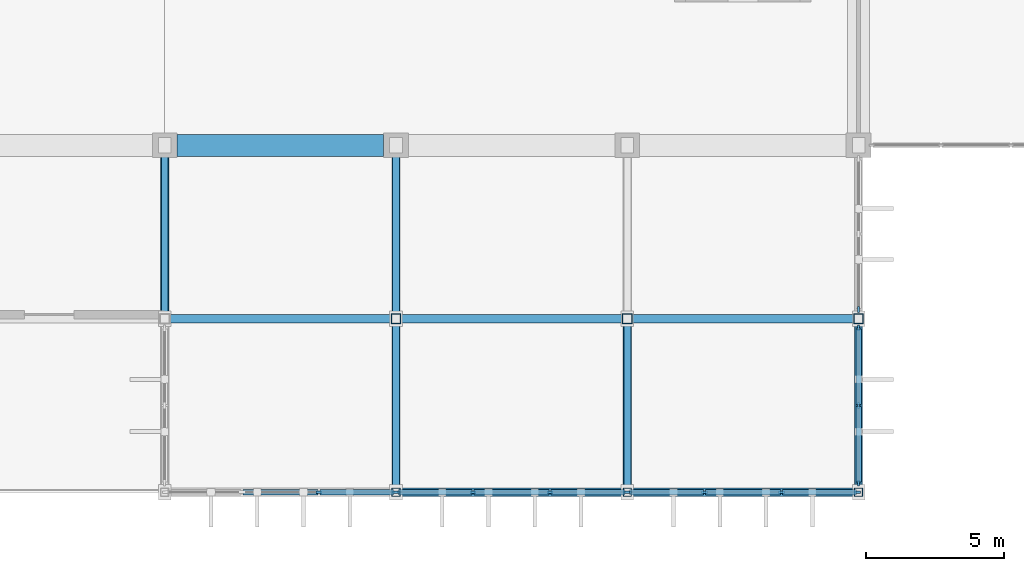
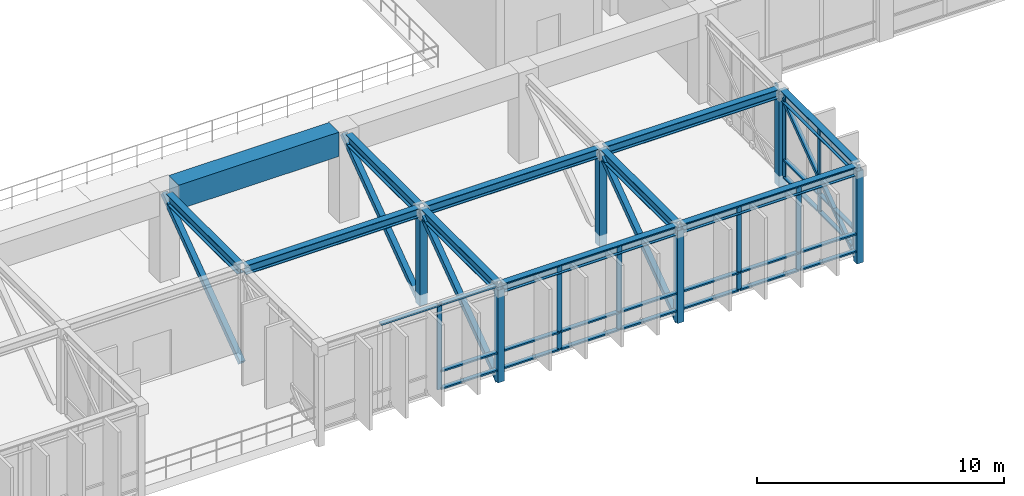
# One storey, part 8 of 40: 53 members, 11 beams, 5 elements without a shape of their own.
"""IFC4 building model written with IfcOpenShell, lengths in metres."""

from ifc_helpers import new_model, si_unit, direction, frame, origin, origin_2d, place, context, subcontext, project, spatial, rectangle, hollow_rectangle, i_section, extrude, material, material_profile, profile_set, type_object, element, aggregate, save


model = new_model("IFC4")

# Units and contexts
model_context = context("Model", 3, precision=1e-05, world=origin(), true_north=direction((0.0, 1.0)))
body_context = subcontext(model_context, "Body", "Model", "MODEL_VIEW")
ifc_project = project(units=[si_unit("LENGTHUNIT", "METRE"), si_unit("AREAUNIT", "SQUARE_METRE"), si_unit("VOLUMEUNIT", "CUBIC_METRE"), si_unit("PLANEANGLEUNIT", "RADIAN"), si_unit("MASSUNIT", "GRAM", prefix="KILO")], contexts=[model_context])

# Site, building, storey
site_placement = place(None, origin())
site = spatial("IfcSite", under=ifc_project, at=site_placement, CompositionType="ELEMENT")
building_placement = place(site_placement, origin())
building = spatial("IfcBuilding", under=site, at=building_placement, Name="Kenerak Square Central Library", CompositionType="ELEMENT")
storey_placement = place(building_placement, frame((0.0, 0.0, 14.39990234375)))
storey = spatial("IfcBuildingStorey", under=building, at=storey_placement, Name="L03", CompositionType="ELEMENT", Elevation=14.39990234375)

# Beams
ifc_material_1 = material(Name="Steel S355", Category="steel")
ifc_material_profile_1 = material_profile(ifc_material_1, i_section(OverallWidth=0.300048828125, OverallDepth=0.5, WebThickness=0.014404296875, FlangeThickness=0.028076171875, FilletRadius=0.027099609375, at=origin_2d()), Name="HEB 500")
ifc_profile_set_1 = profile_set([ifc_material_profile_1], Name="Steel S355")
beam_type_1 = type_object("IfcBeamType", Name="Backspan Steel Girder SB-03 HEB 500 S355", PredefinedType="BEAM", material=ifc_profile_set_1)
beam_1_placement = place(storey_placement, frame((92.0, 10.6201171875, 4.025146484375), z_axis=(0.0, 1.0, 0.0), x_axis=(-1.0, 0.0, 0.0)))
element("IfcBeam", 1, at=beam_1_placement, inside=storey, type_object=beam_type_1, Name="Wall-Truss Chord 5 L03 072", PredefinedType="BEAM", context=body_context, shape_type="SweptSolid", body=[
    extrude(i_section(OverallWidth=0.300048828125, OverallDepth=0.5, WebThickness=0.014404296875, FlangeThickness=0.028076171875, FilletRadius=0.027099609375, at=origin_2d()), origin(), (0.0, 0.0, 1.0), 5.77978515625),
])
beam_2_placement = place(storey_placement, frame((100.39990234375, 4.320068359375, 4.025146484375), z_axis=(0.0, 1.0, 0.0), x_axis=(-1.0, 0.0, 0.0)))
element("IfcBeam", 2, at=beam_2_placement, inside=storey, type_object=beam_type_1, Name="Wall-Truss Chord 6 L03 087", PredefinedType="BEAM", context=body_context, shape_type="SweptSolid", body=[
    extrude(i_section(OverallWidth=0.300048828125, OverallDepth=0.5, WebThickness=0.014404296875, FlangeThickness=0.028076171875, FilletRadius=0.027099609375, at=origin_2d()), origin(), (0.0, 0.0, 1.0), 6.059814453125),
])
beam_3_placement = place(storey_placement, frame((100.39990234375, 10.6201171875, 4.025146484375), z_axis=(0.0, 1.0, 0.0), x_axis=(-1.0, 0.0, 0.0)))
element("IfcBeam", 3, at=beam_3_placement, inside=storey, type_object=beam_type_1, Name="Wall-Truss Chord 6 L03 088", PredefinedType="BEAM", context=body_context, shape_type="SweptSolid", body=[
    extrude(i_section(OverallWidth=0.300048828125, OverallDepth=0.5, WebThickness=0.014404296875, FlangeThickness=0.028076171875, FilletRadius=0.027099609375, at=origin_2d()), origin(), (0.0, 0.0, 1.0), 5.77978515625),
])
for number, where, z_axis, x_axis, name in (
    (4, (108.800048828125, 4.320068359375, 4.025146484375), (0.0, 1.0, 0.0), (-1.0, 0.0, 0.0), "Wall-Truss Chord 7 L03 103"),
    (5, (117.199951171875, 4.320068359375, 4.025146484375), (0.0, 1.0, 0.0), (-1.0, 0.0, 0.0), "Wall-Truss Chord 8 L03 119"),
):
    element("IfcBeam", number, at=place(storey_placement, frame(where, z_axis=z_axis, x_axis=x_axis)), inside=storey, type_object=beam_type_1, Name=name, PredefinedType="BEAM", context=body_context, shape_type="SweptSolid", body=[
        extrude(i_section(OverallWidth=0.300048828125, OverallDepth=0.5, WebThickness=0.014404296875, FlangeThickness=0.028076171875, FilletRadius=0.027099609375, at=origin_2d()), origin(), (0.0, 0.0, 1.0), 6.059814453125),
    ])

# Curtain wall, member
ifc_material_2 = material(Name="Anodised aluminium and solar-control low-E glazing", Category="aluminium")
curtain_wall_type_1 = type_object("IfcCurtainWallType", Name="Curtain Wall CW-V1-55x42 5550x4230", PredefinedType="USERDEFINED", material=ifc_material_2)
curtain_wall_1_placement = place(storey_placement, origin())
curtain_wall_1 = element("IfcCurtainWall", 6, at=curtain_wall_1_placement, inside=storey, type_object=curtain_wall_type_1, Name="Curtain Wall CW-V1-55x42 L03 0127", ObjectType="CURTAIN WALL", PredefinedType="USERDEFINED")
ifc_material_3 = material(Name="Anodised aluminium 6063-T6", Category="aluminium")
ifc_material_profile_2 = material_profile(ifc_material_3, rectangle(XDim=0.074951171875, YDim=0.219970703125, at=origin_2d()), Name="AL MULLION 75x220")
ifc_profile_set_2 = profile_set([ifc_material_profile_2], Name="Anodised aluminium 6063-T6")
member_type_1 = type_object("IfcMemberType", Name="Curtain Mullion CM-02 75x220", PredefinedType="MULLION", material=ifc_profile_set_2)
member_1_placement = place(storey_placement, frame((117.199951171875, 10.83740234375, 0.0), z_axis=(0.0, 0.0, 1.0), x_axis=(1.0, 0.0, 0.0)))
member_1 = element("IfcMember", 7, at=member_1_placement, type_object=member_type_1, Name="CW-V1-55x42 Mullion 3", PredefinedType="MULLION", context=body_context, shape_type="SweptSolid", body=[
    extrude(rectangle(XDim=0.074951171875, YDim=0.219970703125, at=origin_2d()), origin(), (0.0, 0.0, 1.0), 4.22998046875),
])
aggregate(curtain_wall_1, [member_1])

# Curtain wall, members
curtain_wall_type_2 = type_object("IfcCurtainWallType", Name="Curtain Wall CW-V1-57x42 5700x4230", PredefinedType="USERDEFINED", material=ifc_material_2)
curtain_wall_2_placement = place(storey_placement, origin())
curtain_wall_2 = element("IfcCurtainWall", 8, at=curtain_wall_2_placement, inside=storey, type_object=curtain_wall_type_2, Name="Curtain Wall CW-V1-57x42 L03 0128", ObjectType="CURTAIN WALL", PredefinedType="USERDEFINED")
member_2_placement = place(storey_placement, frame((117.199951171875, 10.16259765625, 0.0), z_axis=(0.0, 0.0, 1.0), x_axis=(1.0, 0.0, 0.0)))
member_2 = element("IfcMember", 9, at=member_2_placement, type_object=member_type_1, Name="CW-V1-57x42 Mullion 1", PredefinedType="MULLION", context=body_context, shape_type="SweptSolid", body=[
    extrude(rectangle(XDim=0.074951171875, YDim=0.219970703125, at=origin_2d()), origin(), (0.0, 0.0, 1.0), 4.22998046875),
])
member_3_placement = place(storey_placement, frame((117.199951171875, 7.35009765625, 0.0), z_axis=(0.0, 0.0, 1.0), x_axis=(1.0, 0.0, 0.0)))
member_3 = element("IfcMember", 10, at=member_3_placement, type_object=member_type_1, Name="CW-V1-57x42 Mullion 2", PredefinedType="MULLION", context=body_context, shape_type="SweptSolid", body=[
    extrude(rectangle(XDim=0.074951171875, YDim=0.219970703125, at=origin_2d()), origin(), (0.0, 0.0, 1.0), 4.22998046875),
])
member_4_placement = place(storey_placement, frame((117.199951171875, 4.53759765625, 0.0), z_axis=(0.0, 0.0, 1.0), x_axis=(1.0, 0.0, 0.0)))
member_4 = element("IfcMember", 11, at=member_4_placement, type_object=member_type_1, Name="CW-V1-57x42 Mullion 3", PredefinedType="MULLION", context=body_context, shape_type="SweptSolid", body=[
    extrude(rectangle(XDim=0.074951171875, YDim=0.219970703125, at=origin_2d()), origin(), (0.0, 0.0, 1.0), 4.22998046875),
])

curtain_wall_type_3 = type_object("IfcCurtainWallType", Name="Curtain Wall CW-V1-84x42 8400x4230", PredefinedType="USERDEFINED", material=ifc_material_2)
curtain_wall_3_placement = place(storey_placement, origin())
curtain_wall_3 = element("IfcCurtainWall", 12, at=curtain_wall_3_placement, inside=storey, type_object=curtain_wall_type_3, Name="Curtain Wall CW-V1-84x42 L03 0129", ObjectType="CURTAIN WALL", PredefinedType="USERDEFINED")
member_5_placement = place(storey_placement, frame((117.16259765625, 4.199951171875, 0.0), z_axis=(0.0, 0.0, 1.0), x_axis=(0.0, -1.0, 0.0)))
member_5 = element("IfcMember", 13, at=member_5_placement, type_object=member_type_1, Name="CW-V1-84x42 Mullion 1", PredefinedType="MULLION", context=body_context, shape_type="SweptSolid", body=[
    extrude(rectangle(XDim=0.074951171875, YDim=0.219970703125, at=origin_2d()), origin(), (0.0, 0.0, 1.0), 4.22998046875),
])
member_6_placement = place(storey_placement, frame((114.39990234375, 4.199951171875, 0.0), z_axis=(0.0, 0.0, 1.0), x_axis=(0.0, -1.0, 0.0)))
member_6 = element("IfcMember", 14, at=member_6_placement, type_object=member_type_1, Name="CW-V1-84x42 Mullion 2", PredefinedType="MULLION", context=body_context, shape_type="SweptSolid", body=[
    extrude(rectangle(XDim=0.074951171875, YDim=0.219970703125, at=origin_2d()), origin(), (0.0, 0.0, 1.0), 4.22998046875),
])
member_7_placement = place(storey_placement, frame((111.60009765625, 4.199951171875, 0.0), z_axis=(0.0, 0.0, 1.0), x_axis=(0.0, -1.0, 0.0)))
member_7 = element("IfcMember", 15, at=member_7_placement, type_object=member_type_1, Name="CW-V1-84x42 Mullion 3", PredefinedType="MULLION", context=body_context, shape_type="SweptSolid", body=[
    extrude(rectangle(XDim=0.074951171875, YDim=0.219970703125, at=origin_2d()), origin(), (0.0, 0.0, 1.0), 4.22998046875),
])
member_8_placement = place(storey_placement, frame((108.83740234375, 4.199951171875, 0.0), z_axis=(0.0, 0.0, 1.0), x_axis=(0.0, -1.0, 0.0)))
member_8 = element("IfcMember", 16, at=member_8_placement, type_object=member_type_1, Name="CW-V1-84x42 Mullion 4", PredefinedType="MULLION", context=body_context, shape_type="SweptSolid", body=[
    extrude(rectangle(XDim=0.074951171875, YDim=0.219970703125, at=origin_2d()), origin(), (0.0, 0.0, 1.0), 4.22998046875),
])

curtain_wall_4_placement = place(storey_placement, origin())
curtain_wall_4 = element("IfcCurtainWall", 17, at=curtain_wall_4_placement, inside=storey, type_object=curtain_wall_type_3, Name="Curtain Wall CW-V1-84x42 L03 0130", ObjectType="CURTAIN WALL", PredefinedType="USERDEFINED")
member_9_placement = place(storey_placement, frame((108.762451171875, 4.199951171875, 0.0), z_axis=(0.0, 0.0, 1.0), x_axis=(0.0, -1.0, 0.0)))
member_9 = element("IfcMember", 18, at=member_9_placement, type_object=member_type_1, Name="CW-V1-84x42 Mullion 1", PredefinedType="MULLION", context=body_context, shape_type="SweptSolid", body=[
    extrude(rectangle(XDim=0.074951171875, YDim=0.219970703125, at=origin_2d()), origin(), (0.0, 0.0, 1.0), 4.22998046875),
])
member_10_placement = place(storey_placement, frame((106.0, 4.199951171875, 0.0), z_axis=(0.0, 0.0, 1.0), x_axis=(0.0, -1.0, 0.0)))
member_10 = element("IfcMember", 19, at=member_10_placement, type_object=member_type_1, Name="CW-V1-84x42 Mullion 2", PredefinedType="MULLION", context=body_context, shape_type="SweptSolid", body=[
    extrude(rectangle(XDim=0.074951171875, YDim=0.219970703125, at=origin_2d()), origin(), (0.0, 0.0, 1.0), 4.22998046875),
])
member_11_placement = place(storey_placement, frame((103.199951171875, 4.199951171875, 0.0), z_axis=(0.0, 0.0, 1.0), x_axis=(0.0, -1.0, 0.0)))
member_11 = element("IfcMember", 20, at=member_11_placement, type_object=member_type_1, Name="CW-V1-84x42 Mullion 3", PredefinedType="MULLION", context=body_context, shape_type="SweptSolid", body=[
    extrude(rectangle(XDim=0.074951171875, YDim=0.219970703125, at=origin_2d()), origin(), (0.0, 0.0, 1.0), 4.22998046875),
])
member_12_placement = place(storey_placement, frame((100.4375, 4.199951171875, 0.0), z_axis=(0.0, 0.0, 1.0), x_axis=(0.0, -1.0, 0.0)))
member_12 = element("IfcMember", 21, at=member_12_placement, type_object=member_type_1, Name="CW-V1-84x42 Mullion 4", PredefinedType="MULLION", context=body_context, shape_type="SweptSolid", body=[
    extrude(rectangle(XDim=0.074951171875, YDim=0.219970703125, at=origin_2d()), origin(), (0.0, 0.0, 1.0), 4.22998046875),
])

curtain_wall_5_placement = place(storey_placement, origin())
curtain_wall_5 = element("IfcCurtainWall", 22, at=curtain_wall_5_placement, inside=storey, type_object=curtain_wall_type_3, Name="Curtain Wall CW-V1-84x42 L03 0131", ObjectType="CURTAIN WALL", PredefinedType="USERDEFINED")
member_13_placement = place(storey_placement, frame((100.362548828125, 4.199951171875, 0.0), z_axis=(0.0, 0.0, 1.0), x_axis=(0.0, -1.0, 0.0)))
member_13 = element("IfcMember", 23, at=member_13_placement, type_object=member_type_1, Name="CW-V1-84x42 Mullion 1", PredefinedType="MULLION", context=body_context, shape_type="SweptSolid", body=[
    extrude(rectangle(XDim=0.074951171875, YDim=0.219970703125, at=origin_2d()), origin(), (0.0, 0.0, 1.0), 4.22998046875),
])
member_14_placement = place(storey_placement, frame((97.60009765625, 4.199951171875, 0.0), z_axis=(0.0, 0.0, 1.0), x_axis=(0.0, -1.0, 0.0)))
member_14 = element("IfcMember", 24, at=member_14_placement, type_object=member_type_1, Name="CW-V1-84x42 Mullion 2", PredefinedType="MULLION", context=body_context, shape_type="SweptSolid", body=[
    extrude(rectangle(XDim=0.074951171875, YDim=0.219970703125, at=origin_2d()), origin(), (0.0, 0.0, 1.0), 4.22998046875),
])

# Member
ifc_material_profile_3 = material_profile(ifc_material_3, rectangle(XDim=0.199951171875, YDim=0.074951171875, at=origin_2d()), Name="AL TRANSOM 200x75")
ifc_profile_set_3 = profile_set([ifc_material_profile_3], Name="Anodised aluminium 6063-T6")
member_type_2 = type_object("IfcMemberType", Name="Curtain Transom CT-12 200x75", PredefinedType="USERDEFINED", material=ifc_profile_set_3)
member_15_placement = place(storey_placement, frame((117.199951171875, 10.125, 0.03759765625), z_axis=(0.0, -1.0, 0.0), x_axis=(1.0, 0.0, 0.0)))
member_15 = element("IfcMember", 25, at=member_15_placement, type_object=member_type_2, Name="CW-V1-57x42 Transom 1.1", ObjectType="TRANSOM", PredefinedType="USERDEFINED", context=body_context, shape_type="SweptSolid", body=[
    extrude(rectangle(XDim=0.199951171875, YDim=0.074951171875, at=origin_2d()), origin(), (0.0, 0.0, 1.0), 2.737548828125),
])

member_16_placement = place(storey_placement, frame((117.199951171875, 10.125, 0.900146484375), z_axis=(0.0, -1.0, 0.0), x_axis=(1.0, 0.0, 0.0)))
member_16 = element("IfcMember", 26, at=member_16_placement, type_object=member_type_2, Name="CW-V1-57x42 Transom 1.2", ObjectType="TRANSOM", PredefinedType="USERDEFINED", context=body_context, shape_type="SweptSolid", body=[
    extrude(rectangle(XDim=0.199951171875, YDim=0.074951171875, at=origin_2d()), origin(), (0.0, 0.0, 1.0), 2.737548828125),
])

member_17_placement = place(storey_placement, frame((117.199951171875, 10.125, 4.192626953125), z_axis=(0.0, -1.0, 0.0), x_axis=(1.0, 0.0, 0.0)))
member_17 = element("IfcMember", 27, at=member_17_placement, type_object=member_type_2, Name="CW-V1-57x42 Transom 1.3", ObjectType="TRANSOM", PredefinedType="USERDEFINED", context=body_context, shape_type="SweptSolid", body=[
    extrude(rectangle(XDim=0.199951171875, YDim=0.074951171875, at=origin_2d()), origin(), (0.0, 0.0, 1.0), 2.737548828125),
])

member_18_placement = place(storey_placement, frame((117.199951171875, 7.3125, 0.03759765625), z_axis=(0.0, -1.0, 0.0), x_axis=(1.0, 0.0, 0.0)))
member_18 = element("IfcMember", 28, at=member_18_placement, type_object=member_type_2, Name="CW-V1-57x42 Transom 2.1", ObjectType="TRANSOM", PredefinedType="USERDEFINED", context=body_context, shape_type="SweptSolid", body=[
    extrude(rectangle(XDim=0.199951171875, YDim=0.074951171875, at=origin_2d()), origin(), (0.0, 0.0, 1.0), 2.737548828125),
])

member_19_placement = place(storey_placement, frame((117.199951171875, 7.3125, 0.900146484375), z_axis=(0.0, -1.0, 0.0), x_axis=(1.0, 0.0, 0.0)))
member_19 = element("IfcMember", 29, at=member_19_placement, type_object=member_type_2, Name="CW-V1-57x42 Transom 2.2", ObjectType="TRANSOM", PredefinedType="USERDEFINED", context=body_context, shape_type="SweptSolid", body=[
    extrude(rectangle(XDim=0.199951171875, YDim=0.074951171875, at=origin_2d()), origin(), (0.0, 0.0, 1.0), 2.737548828125),
])

member_20_placement = place(storey_placement, frame((117.199951171875, 7.3125, 4.192626953125), z_axis=(0.0, -1.0, 0.0), x_axis=(1.0, 0.0, 0.0)))
member_20 = element("IfcMember", 30, at=member_20_placement, type_object=member_type_2, Name="CW-V1-57x42 Transom 2.3", ObjectType="TRANSOM", PredefinedType="USERDEFINED", context=body_context, shape_type="SweptSolid", body=[
    extrude(rectangle(XDim=0.199951171875, YDim=0.074951171875, at=origin_2d()), origin(), (0.0, 0.0, 1.0), 2.737548828125),
])

aggregate(curtain_wall_2, [member_2, member_3, member_4, member_15, member_16, member_17, member_18, member_19, member_20])

member_21_placement = place(storey_placement, frame((117.125, 4.199951171875, 0.03759765625), z_axis=(-1.0, 0.0, 0.0), x_axis=(0.0, -1.0, 0.0)))
member_21 = element("IfcMember", 31, at=member_21_placement, type_object=member_type_2, Name="CW-V1-84x42 Transom 1.1", ObjectType="TRANSOM", PredefinedType="USERDEFINED", context=body_context, shape_type="SweptSolid", body=[
    extrude(rectangle(XDim=0.199951171875, YDim=0.074951171875, at=origin_2d()), origin(), (0.0, 0.0, 1.0), 2.6875),
])

member_22_placement = place(storey_placement, frame((117.125, 4.199951171875, 0.900146484375), z_axis=(-1.0, 0.0, 0.0), x_axis=(0.0, -1.0, 0.0)))
member_22 = element("IfcMember", 32, at=member_22_placement, type_object=member_type_2, Name="CW-V1-84x42 Transom 1.2", ObjectType="TRANSOM", PredefinedType="USERDEFINED", context=body_context, shape_type="SweptSolid", body=[
    extrude(rectangle(XDim=0.199951171875, YDim=0.074951171875, at=origin_2d()), origin(), (0.0, 0.0, 1.0), 2.6875),
])

member_23_placement = place(storey_placement, frame((117.125, 4.199951171875, 4.192626953125), z_axis=(-1.0, 0.0, 0.0), x_axis=(0.0, -1.0, 0.0)))
member_23 = element("IfcMember", 33, at=member_23_placement, type_object=member_type_2, Name="CW-V1-84x42 Transom 1.3", ObjectType="TRANSOM", PredefinedType="USERDEFINED", context=body_context, shape_type="SweptSolid", body=[
    extrude(rectangle(XDim=0.199951171875, YDim=0.074951171875, at=origin_2d()), origin(), (0.0, 0.0, 1.0), 2.6875),
])

member_24_placement = place(storey_placement, frame((114.362548828125, 4.199951171875, 0.03759765625), z_axis=(-1.0, 0.0, 0.0), x_axis=(0.0, -1.0, 0.0)))
member_24 = element("IfcMember", 34, at=member_24_placement, type_object=member_type_2, Name="CW-V1-84x42 Transom 2.1", ObjectType="TRANSOM", PredefinedType="USERDEFINED", context=body_context, shape_type="SweptSolid", body=[
    extrude(rectangle(XDim=0.199951171875, YDim=0.074951171875, at=origin_2d()), origin(), (0.0, 0.0, 1.0), 2.72509765625),
])

member_25_placement = place(storey_placement, frame((114.362548828125, 4.199951171875, 0.900146484375), z_axis=(-1.0, 0.0, 0.0), x_axis=(0.0, -1.0, 0.0)))
member_25 = element("IfcMember", 35, at=member_25_placement, type_object=member_type_2, Name="CW-V1-84x42 Transom 2.2", ObjectType="TRANSOM", PredefinedType="USERDEFINED", context=body_context, shape_type="SweptSolid", body=[
    extrude(rectangle(XDim=0.199951171875, YDim=0.074951171875, at=origin_2d()), origin(), (0.0, 0.0, 1.0), 2.72509765625),
])

member_26_placement = place(storey_placement, frame((114.362548828125, 4.199951171875, 4.192626953125), z_axis=(-1.0, 0.0, 0.0), x_axis=(0.0, -1.0, 0.0)))
member_26 = element("IfcMember", 36, at=member_26_placement, type_object=member_type_2, Name="CW-V1-84x42 Transom 2.3", ObjectType="TRANSOM", PredefinedType="USERDEFINED", context=body_context, shape_type="SweptSolid", body=[
    extrude(rectangle(XDim=0.199951171875, YDim=0.074951171875, at=origin_2d()), origin(), (0.0, 0.0, 1.0), 2.72509765625),
])

member_27_placement = place(storey_placement, frame((111.5625, 4.199951171875, 0.03759765625), z_axis=(-1.0, 0.0, 0.0), x_axis=(0.0, -1.0, 0.0)))
member_27 = element("IfcMember", 37, at=member_27_placement, type_object=member_type_2, Name="CW-V1-84x42 Transom 3.1", ObjectType="TRANSOM", PredefinedType="USERDEFINED", context=body_context, shape_type="SweptSolid", body=[
    extrude(rectangle(XDim=0.199951171875, YDim=0.074951171875, at=origin_2d()), origin(), (0.0, 0.0, 1.0), 2.6875),
])

member_28_placement = place(storey_placement, frame((111.5625, 4.199951171875, 0.900146484375), z_axis=(-1.0, 0.0, 0.0), x_axis=(0.0, -1.0, 0.0)))
member_28 = element("IfcMember", 38, at=member_28_placement, type_object=member_type_2, Name="CW-V1-84x42 Transom 3.2", ObjectType="TRANSOM", PredefinedType="USERDEFINED", context=body_context, shape_type="SweptSolid", body=[
    extrude(rectangle(XDim=0.199951171875, YDim=0.074951171875, at=origin_2d()), origin(), (0.0, 0.0, 1.0), 2.6875),
])

member_29_placement = place(storey_placement, frame((111.5625, 4.199951171875, 4.192626953125), z_axis=(-1.0, 0.0, 0.0), x_axis=(0.0, -1.0, 0.0)))
member_29 = element("IfcMember", 39, at=member_29_placement, type_object=member_type_2, Name="CW-V1-84x42 Transom 3.3", ObjectType="TRANSOM", PredefinedType="USERDEFINED", context=body_context, shape_type="SweptSolid", body=[
    extrude(rectangle(XDim=0.199951171875, YDim=0.074951171875, at=origin_2d()), origin(), (0.0, 0.0, 1.0), 2.6875),
])

aggregate(curtain_wall_3, [member_5, member_6, member_7, member_8, member_21, member_22, member_23, member_24, member_25, member_26, member_27, member_28, member_29])

member_30_placement = place(storey_placement, frame((108.72509765625, 4.199951171875, 0.03759765625), z_axis=(-1.0, 0.0, 0.0), x_axis=(0.0, -1.0, 0.0)))
member_30 = element("IfcMember", 40, at=member_30_placement, type_object=member_type_2, Name="CW-V1-84x42 Transom 1.1", ObjectType="TRANSOM", PredefinedType="USERDEFINED", context=body_context, shape_type="SweptSolid", body=[
    extrude(rectangle(XDim=0.199951171875, YDim=0.074951171875, at=origin_2d()), origin(), (0.0, 0.0, 1.0), 2.6875),
])

member_31_placement = place(storey_placement, frame((108.72509765625, 4.199951171875, 0.900146484375), z_axis=(-1.0, 0.0, 0.0), x_axis=(0.0, -1.0, 0.0)))
member_31 = element("IfcMember", 41, at=member_31_placement, type_object=member_type_2, Name="CW-V1-84x42 Transom 1.2", ObjectType="TRANSOM", PredefinedType="USERDEFINED", context=body_context, shape_type="SweptSolid", body=[
    extrude(rectangle(XDim=0.199951171875, YDim=0.074951171875, at=origin_2d()), origin(), (0.0, 0.0, 1.0), 2.6875),
])

member_32_placement = place(storey_placement, frame((108.72509765625, 4.199951171875, 4.192626953125), z_axis=(-1.0, 0.0, 0.0), x_axis=(0.0, -1.0, 0.0)))
member_32 = element("IfcMember", 42, at=member_32_placement, type_object=member_type_2, Name="CW-V1-84x42 Transom 1.3", ObjectType="TRANSOM", PredefinedType="USERDEFINED", context=body_context, shape_type="SweptSolid", body=[
    extrude(rectangle(XDim=0.199951171875, YDim=0.074951171875, at=origin_2d()), origin(), (0.0, 0.0, 1.0), 2.6875),
])

member_33_placement = place(storey_placement, frame((105.96240234375, 4.199951171875, 0.03759765625), z_axis=(-1.0, 0.0, 0.0), x_axis=(0.0, -1.0, 0.0)))
member_33 = element("IfcMember", 43, at=member_33_placement, type_object=member_type_2, Name="CW-V1-84x42 Transom 2.1", ObjectType="TRANSOM", PredefinedType="USERDEFINED", context=body_context, shape_type="SweptSolid", body=[
    extrude(rectangle(XDim=0.199951171875, YDim=0.074951171875, at=origin_2d()), origin(), (0.0, 0.0, 1.0), 2.724853515625),
])

member_34_placement = place(storey_placement, frame((105.96240234375, 4.199951171875, 0.900146484375), z_axis=(-1.0, 0.0, 0.0), x_axis=(0.0, -1.0, 0.0)))
member_34 = element("IfcMember", 44, at=member_34_placement, type_object=member_type_2, Name="CW-V1-84x42 Transom 2.2", ObjectType="TRANSOM", PredefinedType="USERDEFINED", context=body_context, shape_type="SweptSolid", body=[
    extrude(rectangle(XDim=0.199951171875, YDim=0.074951171875, at=origin_2d()), origin(), (0.0, 0.0, 1.0), 2.724853515625),
])

member_35_placement = place(storey_placement, frame((105.96240234375, 4.199951171875, 4.192626953125), z_axis=(-1.0, 0.0, 0.0), x_axis=(0.0, -1.0, 0.0)))
member_35 = element("IfcMember", 45, at=member_35_placement, type_object=member_type_2, Name="CW-V1-84x42 Transom 2.3", ObjectType="TRANSOM", PredefinedType="USERDEFINED", context=body_context, shape_type="SweptSolid", body=[
    extrude(rectangle(XDim=0.199951171875, YDim=0.074951171875, at=origin_2d()), origin(), (0.0, 0.0, 1.0), 2.724853515625),
])

member_36_placement = place(storey_placement, frame((103.16259765625, 4.199951171875, 0.03759765625), z_axis=(-1.0, 0.0, 0.0), x_axis=(0.0, -1.0, 0.0)))
member_36 = element("IfcMember", 46, at=member_36_placement, type_object=member_type_2, Name="CW-V1-84x42 Transom 3.1", ObjectType="TRANSOM", PredefinedType="USERDEFINED", context=body_context, shape_type="SweptSolid", body=[
    extrude(rectangle(XDim=0.199951171875, YDim=0.074951171875, at=origin_2d()), origin(), (0.0, 0.0, 1.0), 2.6875),
])

member_37_placement = place(storey_placement, frame((103.16259765625, 4.199951171875, 0.900146484375), z_axis=(-1.0, 0.0, 0.0), x_axis=(0.0, -1.0, 0.0)))
member_37 = element("IfcMember", 47, at=member_37_placement, type_object=member_type_2, Name="CW-V1-84x42 Transom 3.2", ObjectType="TRANSOM", PredefinedType="USERDEFINED", context=body_context, shape_type="SweptSolid", body=[
    extrude(rectangle(XDim=0.199951171875, YDim=0.074951171875, at=origin_2d()), origin(), (0.0, 0.0, 1.0), 2.6875),
])

member_38_placement = place(storey_placement, frame((103.16259765625, 4.199951171875, 4.192626953125), z_axis=(-1.0, 0.0, 0.0), x_axis=(0.0, -1.0, 0.0)))
member_38 = element("IfcMember", 48, at=member_38_placement, type_object=member_type_2, Name="CW-V1-84x42 Transom 3.3", ObjectType="TRANSOM", PredefinedType="USERDEFINED", context=body_context, shape_type="SweptSolid", body=[
    extrude(rectangle(XDim=0.199951171875, YDim=0.074951171875, at=origin_2d()), origin(), (0.0, 0.0, 1.0), 2.6875),
])

aggregate(curtain_wall_4, [member_9, member_10, member_11, member_12, member_30, member_31, member_32, member_33, member_34, member_35, member_36, member_37, member_38])

member_39_placement = place(storey_placement, frame((100.324951171875, 4.199951171875, 0.03759765625), z_axis=(-1.0, 0.0, 0.0), x_axis=(0.0, -1.0, 0.0)))
member_39 = element("IfcMember", 49, at=member_39_placement, type_object=member_type_2, Name="CW-V1-84x42 Transom 1.1", ObjectType="TRANSOM", PredefinedType="USERDEFINED", context=body_context, shape_type="SweptSolid", body=[
    extrude(rectangle(XDim=0.199951171875, YDim=0.074951171875, at=origin_2d()), origin(), (0.0, 0.0, 1.0), 2.6875),
])

member_40_placement = place(storey_placement, frame((100.324951171875, 4.199951171875, 0.900146484375), z_axis=(-1.0, 0.0, 0.0), x_axis=(0.0, -1.0, 0.0)))
member_40 = element("IfcMember", 50, at=member_40_placement, type_object=member_type_2, Name="CW-V1-84x42 Transom 1.2", ObjectType="TRANSOM", PredefinedType="USERDEFINED", context=body_context, shape_type="SweptSolid", body=[
    extrude(rectangle(XDim=0.199951171875, YDim=0.074951171875, at=origin_2d()), origin(), (0.0, 0.0, 1.0), 2.6875),
])

member_41_placement = place(storey_placement, frame((100.324951171875, 4.199951171875, 4.192626953125), z_axis=(-1.0, 0.0, 0.0), x_axis=(0.0, -1.0, 0.0)))
member_41 = element("IfcMember", 51, at=member_41_placement, type_object=member_type_2, Name="CW-V1-84x42 Transom 1.3", ObjectType="TRANSOM", PredefinedType="USERDEFINED", context=body_context, shape_type="SweptSolid", body=[
    extrude(rectangle(XDim=0.199951171875, YDim=0.074951171875, at=origin_2d()), origin(), (0.0, 0.0, 1.0), 2.6875),
])

member_42_placement = place(storey_placement, frame((97.5625, 4.199951171875, 4.192626953125), z_axis=(-1.0, 0.0, 0.0), x_axis=(0.0, -1.0, 0.0)))
member_42 = element("IfcMember", 52, at=member_42_placement, type_object=member_type_2, Name="CW-V1-84x42 Transom 2.3", ObjectType="TRANSOM", PredefinedType="USERDEFINED", context=body_context, shape_type="SweptSolid", body=[
    extrude(rectangle(XDim=0.199951171875, YDim=0.074951171875, at=origin_2d()), origin(), (0.0, 0.0, 1.0), 2.72509765625),
])

aggregate(curtain_wall_5, [member_13, member_14, member_39, member_40, member_41, member_42])

# Beams
ifc_material_4 = material(Name="Concrete C45/55", Category="concrete")
ifc_material_profile_4 = material_profile(ifc_material_4, rectangle(XDim=0.800048828125, YDim=1.199951171875, at=origin_2d()), Name="RC 800x1200")
ifc_profile_set_4 = profile_set([ifc_material_profile_4], Name="Concrete C45/55")
beam_type_2 = type_object("IfcBeamType", Name="Gridshell Ring Beam RB-01 RC 800x1200 C45/55", PredefinedType="BEAM", material=ifc_profile_set_4)
beam_4_placement = place(storey_placement, frame((92.449951171875, 16.800048828125, 3.880126953125), z_axis=(1.0, 0.0, 0.0), x_axis=(0.0, 1.0, 0.0)))
element("IfcBeam", 53, at=beam_4_placement, inside=storey, type_object=beam_type_2, Name="Gridshell Ring Beam RB-01 05", PredefinedType="BEAM", context=body_context, shape_type="SweptSolid", body=[
    extrude(rectangle(XDim=0.800048828125, YDim=1.199951171875, at=origin_2d()), origin(), (0.0, 0.0, 1.0), 7.5),
])
ifc_material_profile_5 = material_profile(ifc_material_1, i_section(OverallWidth=0.300048828125, OverallDepth=0.449951171875, WebThickness=0.013916015625, FlangeThickness=0.02587890625, FilletRadius=0.027099609375, at=origin_2d()), Name="HEB 450")
ifc_profile_set_5 = profile_set([ifc_material_profile_5], Name="Steel S355")
beam_type_3 = type_object("IfcBeamType", Name="Overhang Cross Girder SB-04 HEB 450 S355", PredefinedType="BEAM", material=ifc_profile_set_5)
beam_5_placement = place(storey_placement, frame((100.52001953125, 4.199951171875, 4.050048828125), z_axis=(1.0, 0.0, 0.0), x_axis=(0.0, 1.0, 0.0)))
element("IfcBeam", 54, at=beam_5_placement, inside=storey, type_object=beam_type_3, Name="Overhang Cross Girder SB-04 L03 1737", PredefinedType="BEAM", context=body_context, shape_type="SweptSolid", body=[
    extrude(i_section(OverallWidth=0.300048828125, OverallDepth=0.449951171875, WebThickness=0.013916015625, FlangeThickness=0.02587890625, FilletRadius=0.027099609375, at=origin_2d()), origin(), (0.0, 0.0, 1.0), 8.159912109375),
])
beam_6_placement = place(storey_placement, frame((108.919921875, 4.199951171875, 4.050048828125), z_axis=(1.0, 0.0, 0.0), x_axis=(0.0, 1.0, 0.0)))
element("IfcBeam", 55, at=beam_6_placement, inside=storey, type_object=beam_type_3, Name="Overhang Cross Girder SB-04 L03 1738", PredefinedType="BEAM", context=body_context, shape_type="SweptSolid", body=[
    extrude(i_section(OverallWidth=0.300048828125, OverallDepth=0.449951171875, WebThickness=0.013916015625, FlangeThickness=0.02587890625, FilletRadius=0.027099609375, at=origin_2d()), origin(), (0.0, 0.0, 1.0), 8.16015625),
])
for number, where, z_axis, x_axis, name in (
    (56, (92.1201171875, 10.5, 4.050048828125), (1.0, 0.0, 0.0), (0.0, 1.0, 0.0), "Overhang Cross Girder SB-04 L03 1743"),
    (57, (100.52001953125, 10.5, 4.050048828125), (1.0, 0.0, 0.0), (0.0, 1.0, 0.0), "Overhang Cross Girder SB-04 L03 1744"),
):
    element("IfcBeam", number, at=place(storey_placement, frame(where, z_axis=z_axis, x_axis=x_axis)), inside=storey, type_object=beam_type_3, Name=name, PredefinedType="BEAM", context=body_context, shape_type="SweptSolid", body=[
        extrude(i_section(OverallWidth=0.300048828125, OverallDepth=0.449951171875, WebThickness=0.013916015625, FlangeThickness=0.02587890625, FilletRadius=0.027099609375, at=origin_2d()), origin(), (0.0, 0.0, 1.0), 8.159912109375),
    ])
beam_7_placement = place(storey_placement, frame((108.919921875, 10.5, 4.050048828125), z_axis=(1.0, 0.0, 0.0), x_axis=(0.0, 1.0, 0.0)))
element("IfcBeam", 58, at=beam_7_placement, inside=storey, type_object=beam_type_3, Name="Overhang Cross Girder SB-04 L03 1745", PredefinedType="BEAM", context=body_context, shape_type="SweptSolid", body=[
    extrude(i_section(OverallWidth=0.300048828125, OverallDepth=0.449951171875, WebThickness=0.013916015625, FlangeThickness=0.02587890625, FilletRadius=0.027099609375, at=origin_2d()), origin(), (0.0, 0.0, 1.0), 8.16015625),
])

# Members
ifc_material_profile_6 = material_profile(ifc_material_1, hollow_rectangle(XDim=0.179931640625, YDim=0.179931640625, WallThickness=0.008056640625, at=origin_2d()), Name="SHS 180x180x8.0")
ifc_profile_set_6 = profile_set([ifc_material_profile_6], Name="Steel S355")
member_type_3 = type_object("IfcMemberType", Name="Overhang Web Tie TM-06 SHS 180x180x8 S355", PredefinedType="STRUT", material=ifc_profile_set_6)
member_43_placement = place(storey_placement, frame((117.199951171875, 4.199951171875, -0.5498046875), z_axis=(0.0, 0.809157580603, 0.587591703271), x_axis=(-1.0, 0.0, 0.0)))
element("IfcMember", 59, at=member_43_placement, inside=storey, type_object=member_type_3, Name="Wall-Truss Diagonal 8 L03 127", PredefinedType="STRUT", context=body_context, shape_type="SweptSolid", body=[
    extrude(hollow_rectangle(XDim=0.179931640625, YDim=0.179931640625, WallThickness=0.008056640625, at=origin_2d()), origin(), (0.0, 0.0, 1.0), 7.785888671875),
])
ifc_material_profile_7 = material_profile(ifc_material_1, hollow_rectangle(XDim=0.35009765625, YDim=0.35009765625, WallThickness=0.01611328125, at=origin_2d()), Name="SHS 350x350x16.0")
ifc_profile_set_7 = profile_set([ifc_material_profile_7], Name="Steel S355")
member_type_4 = type_object("IfcMemberType", Name="Wall-Truss Heavy Post TM-01 SHS 350x350x16 S355", PredefinedType="STRUT", material=ifc_profile_set_7)
for number, where, z_axis, x_axis, name in (
    (60, (100.39990234375, 10.5, -0.5498046875), (0.0, 0.0, 1.0), (1.0, 0.0, 0.0), "Wall-Truss Post 6 L03 094"),
    (61, (108.800048828125, 10.5, -0.5498046875), (0.0, 0.0, 1.0), (1.0, 0.0, 0.0), "Wall-Truss Post 7 L03 110"),
    (62, (117.199951171875, 10.5, -0.5498046875), (0.0, 0.0, 1.0), (1.0, 0.0, 0.0), "Wall-Truss Post 8 L03 126"),
):
    element("IfcMember", number, at=place(storey_placement, frame(where, z_axis=z_axis, x_axis=x_axis)), inside=storey, type_object=member_type_4, Name=name, PredefinedType="STRUT", context=body_context, shape_type="SweptSolid", body=[
        extrude(hollow_rectangle(XDim=0.35009765625, YDim=0.35009765625, WallThickness=0.01611328125, at=origin_2d()), origin(), (0.0, 0.0, 1.0), 4.574951171875),
    ])
ifc_material_profile_8 = material_profile(ifc_material_1, hollow_rectangle(XDim=0.300048828125, YDim=0.300048828125, WallThickness=0.012451171875, at=origin_2d()), Name="SHS 300x300x12.5")
ifc_profile_set_8 = profile_set([ifc_material_profile_8], Name="Steel S355")
member_type_5 = type_object("IfcMemberType", Name="Wall-Truss Vertical Post TM-02 SHS 300x300x12.5 S355", PredefinedType="STRUT", material=ifc_profile_set_8)
for number, where, z_axis, x_axis, name in (
    (63, (100.39990234375, 4.199951171875, -0.5498046875), (0.0, 0.0, 1.0), (1.0, 0.0, 0.0), "Wall-Truss Post 6 L03 093"),
    (64, (108.800048828125, 4.199951171875, -0.5498046875), (0.0, 0.0, 1.0), (1.0, 0.0, 0.0), "Wall-Truss Post 7 L03 109"),
    (65, (117.199951171875, 4.199951171875, -0.5498046875), (0.0, 0.0, 1.0), (1.0, 0.0, 0.0), "Wall-Truss Post 8 L03 125"),
):
    element("IfcMember", number, at=place(storey_placement, frame(where, z_axis=z_axis, x_axis=x_axis)), inside=storey, type_object=member_type_5, Name=name, PredefinedType="STRUT", context=body_context, shape_type="SweptSolid", body=[
        extrude(hollow_rectangle(XDim=0.300048828125, YDim=0.300048828125, WallThickness=0.012451171875, at=origin_2d()), origin(), (0.0, 0.0, 1.0), 4.574951171875),
    ])
ifc_material_profile_9 = material_profile(ifc_material_1, hollow_rectangle(XDim=0.25, YDim=0.25, WallThickness=0.010009765625, at=origin_2d()), Name="SHS 250x250x10.0")
ifc_profile_set_9 = profile_set([ifc_material_profile_9], Name="Steel S355")
member_type_6 = type_object("IfcMemberType", Name="Wall-Truss Web Diagonal TM-03 SHS 250x250x10 S355", PredefinedType="BRACE", material=ifc_profile_set_9)
for number, where, z_axis, x_axis, name in (
    (66, (92.0, 10.5, -0.5498046875), (0.0, 0.809157580603, 0.587591703271), (-1.0, 0.0, 0.0), "Wall-Truss Diagonal 5 L03 080"),
    (67, (100.39990234375, 4.199951171875, -0.5498046875), (0.0, 0.809157580603, 0.587591703271), (-1.0, 0.0, 0.0), "Wall-Truss Diagonal 6 L03 095"),
    (68, (100.39990234375, 10.5, -0.5498046875), (0.0, 0.809157580603, 0.587591703271), (-1.0, 0.0, 0.0), "Wall-Truss Diagonal 6 L03 096"),
    (69, (108.800048828125, 4.199951171875, -0.5498046875), (0.0, 0.809157580603, 0.587591703271), (-1.0, 0.0, 0.0), "Wall-Truss Diagonal 7 L03 111"),
):
    element("IfcMember", number, at=place(storey_placement, frame(where, z_axis=z_axis, x_axis=x_axis)), inside=storey, type_object=member_type_6, Name=name, PredefinedType="BRACE", context=body_context, shape_type="SweptSolid", body=[
        extrude(hollow_rectangle(XDim=0.25, YDim=0.25, WallThickness=0.010009765625, at=origin_2d()), origin(), (0.0, 0.0, 1.0), 7.785888671875),
    ])

save(model, "model.ifc")
